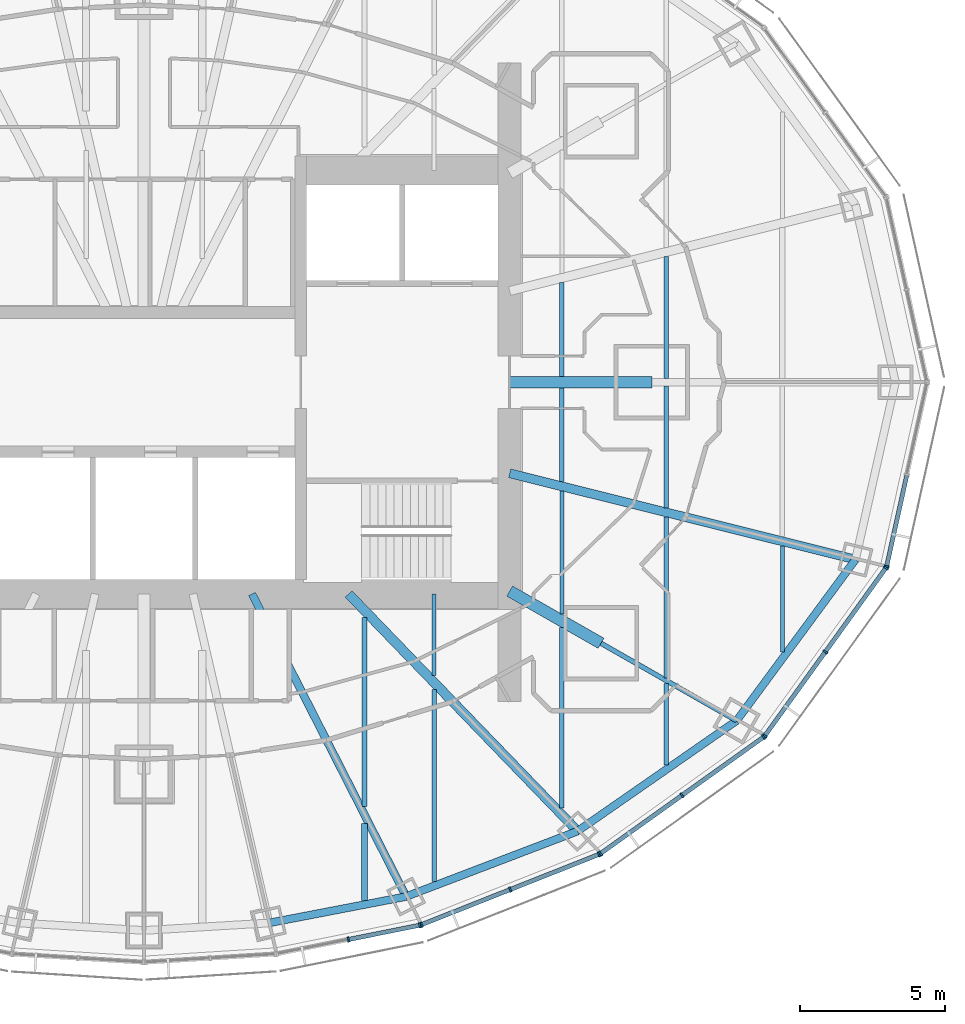
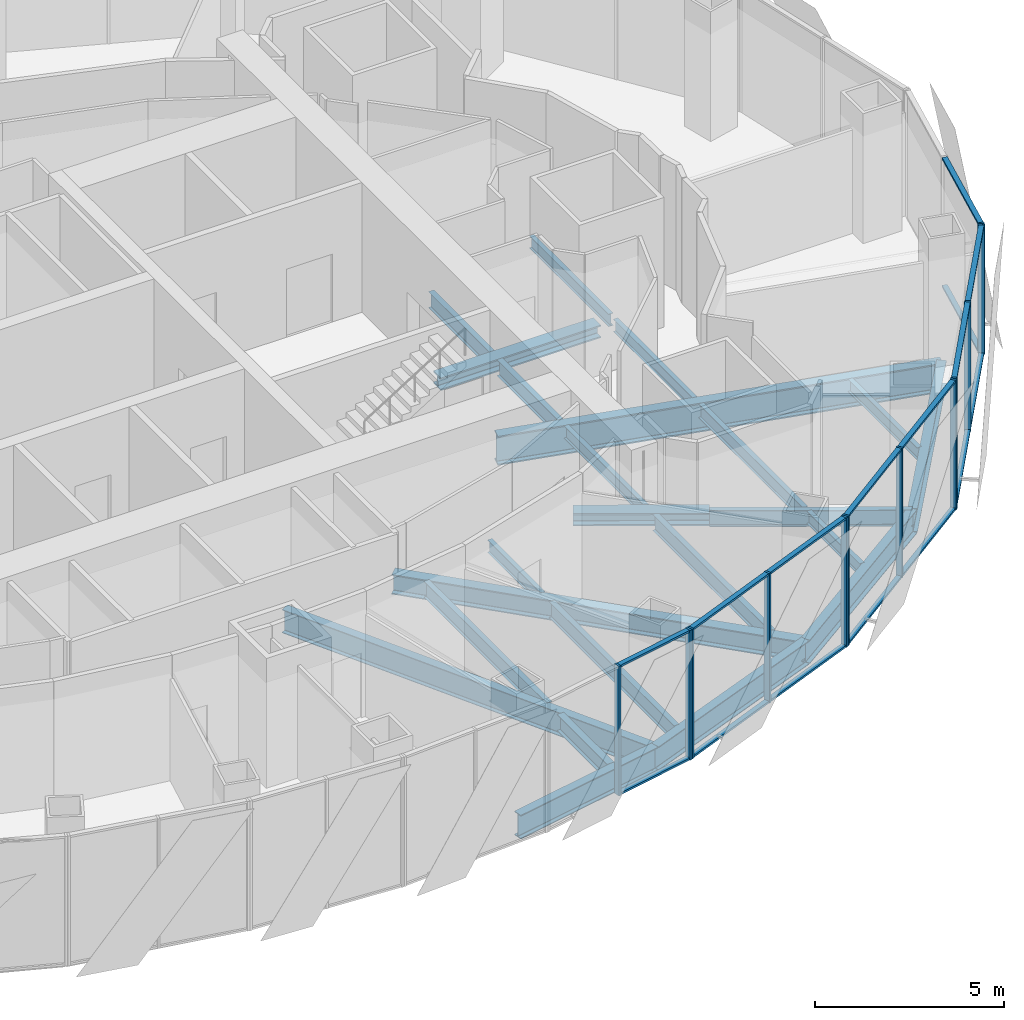
# One storey, part 6 of 19: 28 members, 23 beams, 5 elements without a shape of their own.
"""IFC4 building model written with IfcOpenShell, lengths in metres."""

from ifc_helpers import new_model, si_unit, direction, frame, origin, origin_2d, place, context, subcontext, project, spatial, rectangle, i_section, extrude, material, material_profile, profile_set, type_object, element, aggregate, save


model = new_model("IFC4")

# Units and contexts
model_context = context("Model", 3, precision=1e-05, world=origin(), true_north=direction((0.0, 1.0)))
body_context = subcontext(model_context, "Body", "Model", "MODEL_VIEW")
ifc_project = project(units=[si_unit("LENGTHUNIT", "METRE"), si_unit("AREAUNIT", "SQUARE_METRE"), si_unit("VOLUMEUNIT", "CUBIC_METRE"), si_unit("PLANEANGLEUNIT", "RADIAN"), si_unit("MASSUNIT", "GRAM", prefix="KILO")], contexts=[model_context])

# Site, building, storey
site_placement = place(None, origin())
site = spatial("IfcSite", under=ifc_project, at=site_placement, CompositionType="ELEMENT")
building_placement = place(site_placement, origin())
building = spatial("IfcBuilding", under=site, at=building_placement, Name="Lantaw Convention Tower", CompositionType="ELEMENT")
storey_placement = place(building_placement, frame((0.0, 0.0, 253.60009765625)))
storey = spatial("IfcBuildingStorey", under=building, at=storey_placement, Name="L59", CompositionType="ELEMENT", Elevation=253.60009765625)

# Beams
ifc_material_1 = material(Name="Steel ASTM A992", Category="steel")
ifc_material_profile_1 = material_profile(ifc_material_1, i_section(OverallWidth=0.2666015625, OverallDepth=0.76953125, WebThickness=0.015625, FlangeThickness=0.025390625, FilletRadius=0.0126953125, at=origin_2d()), Name="W30X132")
ifc_profile_set_1 = profile_set([ifc_material_profile_1], Name="Steel ASTM A992")
beam_type_1 = type_object("IfcBeamType", Name="Beam E W30X132", PredefinedType="SPANDREL", material=ifc_profile_set_1)
beam_1_placement = place(storey_placement, frame((4.303955078125, -18.64208984375, -0.534912109375), z_axis=(0.981972091702, 0.189025953556, 0.0), x_axis=(-0.189025953556, 0.981972091702, 0.0)))
element("IfcBeam", 1, at=beam_1_placement, inside=storey, type_object=beam_type_1, Name="Edge beam 20", PredefinedType="SPANDREL", context=body_context, shape_type="SweptSolid", body=[
    extrude(i_section(OverallWidth=0.2666015625, OverallDepth=0.76953125, WebThickness=0.015625, FlangeThickness=0.025390625, FilletRadius=0.0126953125, at=origin_2d()), origin(), (0.0, 0.0, 1.0), 4.817626953125),
])
beam_2_placement = place(storey_placement, frame((9.03466796875, -17.7314453125, -0.534912109375), z_axis=(0.934234988, 0.356658081637, 0.0), x_axis=(-0.356658081637, 0.934234988, 0.0)))
element("IfcBeam", 2, at=beam_2_placement, inside=storey, type_object=beam_type_1, Name="Edge beam 21", PredefinedType="SPANDREL", context=body_context, shape_type="SweptSolid", body=[
    extrude(i_section(OverallWidth=0.2666015625, OverallDepth=0.76953125, WebThickness=0.015625, FlangeThickness=0.025390625, FilletRadius=0.0126953125, at=origin_2d()), origin(), (0.0, 0.0, 1.0), 6.32568359375),
])
beam_3_placement = place(storey_placement, frame((14.9443359375, -15.475341796875, -0.534912109375), z_axis=(0.82135329406, 0.570419815869, 0.0), x_axis=(-0.570419815869, 0.82135329406, 0.0)))
element("IfcBeam", 3, at=beam_3_placement, inside=storey, type_object=beam_type_1, Name="Edge beam 22", PredefinedType="SPANDREL", context=body_context, shape_type="SweptSolid", body=[
    extrude(i_section(OverallWidth=0.2666015625, OverallDepth=0.76953125, WebThickness=0.015625, FlangeThickness=0.025390625, FilletRadius=0.0126953125, at=origin_2d()), origin(), (0.0, 0.0, 1.0), 6.67041015625),
])
beam_4_placement = place(storey_placement, frame((20.423095703125, -11.67041015625, -0.534912109375), z_axis=(0.593639188853, 0.804731329984, 0.0), x_axis=(-0.804731329984, 0.593639188853, 0.0)))
element("IfcBeam", 4, at=beam_4_placement, inside=storey, type_object=beam_type_1, Name="Edge beam 23", PredefinedType="SPANDREL", context=body_context, shape_type="SweptSolid", body=[
    extrude(i_section(OverallWidth=0.2666015625, OverallDepth=0.76953125, WebThickness=0.015625, FlangeThickness=0.025390625, FilletRadius=0.0126953125, at=origin_2d()), origin(), (0.0, 0.0, 1.0), 6.904541015625),
])
ifc_material_profile_2 = material_profile(ifc_material_1, i_section(OverallWidth=0.165771484375, OverallDepth=0.5283203125, WebThickness=0.009765625, FlangeThickness=0.013671875, FilletRadius=0.012939453125, at=origin_2d()), Name="W21X50")
ifc_profile_set_2 = profile_set([ifc_material_profile_2], Name="Steel ASTM A992")
beam_type_2 = type_object("IfcBeamType", Name="Beam G W21X50", PredefinedType="BEAM", material=ifc_profile_set_2)
beam_5_placement = place(storey_placement, frame((15.75, -9.0, -0.414306640625), z_axis=(0.868237559289, -0.496148708192, 0.0), x_axis=(0.496148708192, 0.868237559289, 0.0)))
element("IfcBeam", 5, at=beam_5_placement, inside=storey, type_object=beam_type_2, Name="Floor girder on ray 23", PredefinedType="BEAM", context=body_context, shape_type="SweptSolid", body=[
    extrude(i_section(OverallWidth=0.165771484375, OverallDepth=0.5283203125, WebThickness=0.009765625, FlangeThickness=0.013671875, FilletRadius=0.012939453125, at=origin_2d()), origin(), (0.0, 0.0, 1.0), 5.38232421875),
])
ifc_material_profile_3 = material_profile(ifc_material_1, i_section(OverallWidth=0.32763671875, OverallDepth=0.64013671875, WebThickness=0.01904296875, FlangeThickness=0.033935546875, FilletRadius=0.0126953125, at=origin_2d()), Name="W24X176")
ifc_profile_set_3 = profile_set([ifc_material_profile_3], Name="Steel ASTM A992")
beam_type_3 = type_object("IfcBeamType", Name="Beam G W24X176", PredefinedType="BEAM", material=ifc_profile_set_3)
beam_6_placement = place(storey_placement, frame((7.049560546875, -7.300048828125, -0.47021484375), z_axis=(0.694657766726, -0.719340383356, 0.0), x_axis=(0.719340383356, 0.694657766726, 0.0)))
element("IfcBeam", 6, at=beam_6_placement, inside=storey, type_object=beam_type_3, Name="Floor girder on ray 22", PredefinedType="BEAM", context=body_context, shape_type="SweptSolid", body=[
    extrude(i_section(OverallWidth=0.32763671875, OverallDepth=0.64013671875, WebThickness=0.01904296875, FlangeThickness=0.033935546875, FilletRadius=0.0126953125, at=origin_2d()), origin(), (0.0, 0.0, 1.0), 11.364990234375),
])
ifc_material_profile_4 = material_profile(ifc_material_1, i_section(OverallWidth=0.2666015625, OverallDepth=0.7568359375, WebThickness=0.013916015625, FlangeThickness=0.019287109375, FilletRadius=0.0126953125, at=origin_2d()), Name="W30X108")
ifc_profile_set_4 = profile_set([ifc_material_profile_4], Name="Steel ASTM A992")
beam_type_4 = type_object("IfcBeamType", Name="Beam G W30X108", PredefinedType="BEAM", material=ifc_profile_set_4)
beam_7_placement = place(storey_placement, frame((3.719482421875, -7.300048828125, -0.528564453125), z_axis=(0.4539988787, -0.891002254845, 0.0), x_axis=(0.891002254845, 0.4539988787, 0.0)))
element("IfcBeam", 7, at=beam_7_placement, inside=storey, type_object=beam_type_4, Name="Floor girder on ray 21", PredefinedType="BEAM", context=body_context, shape_type="SweptSolid", body=[
    extrude(i_section(OverallWidth=0.2666015625, OverallDepth=0.7568359375, WebThickness=0.013916015625, FlangeThickness=0.019287109375, FilletRadius=0.0126953125, at=origin_2d()), origin(), (0.0, 0.0, 1.0), 11.70751953125),
])
ifc_material_profile_5 = material_profile(ifc_material_1, i_section(OverallWidth=0.307373046875, OverallDepth=0.9423828125, WebThickness=0.022216796875, FlangeThickness=0.039794921875, FilletRadius=0.0126953125, at=origin_2d()), Name="W36X232")
ifc_profile_set_5 = profile_set([ifc_material_profile_5], Name="Steel ASTM A992")
beam_type_5 = type_object("IfcBeamType", Name="Beam G W36X232", PredefinedType="BEAM", material=ifc_profile_set_5)
beam_8_placement = place(storey_placement, frame((12.60009765625, -3.1416015625, -0.621337890625), z_axis=(0.970296589314, -0.241918434119, 0.0), x_axis=(0.241918434119, 0.970296589314, 0.0)))
element("IfcBeam", 8, at=beam_8_placement, inside=storey, type_object=beam_type_5, Name="Floor girder on ray 24", PredefinedType="BEAM", context=body_context, shape_type="SweptSolid", body=[
    extrude(i_section(OverallWidth=0.307373046875, OverallDepth=0.9423828125, WebThickness=0.022216796875, FlangeThickness=0.039794921875, FilletRadius=0.0126953125, at=origin_2d()), origin(), (0.0, 0.0, 1.0), 12.286865234375),
])
ifc_material_profile_6 = material_profile(ifc_material_1, i_section(OverallWidth=0.40380859375, OverallDepth=0.406494140625, WebThickness=0.027099609375, FlangeThickness=0.043701171875, FilletRadius=0.01513671875, at=origin_2d()), Name="W14X233")
ifc_profile_set_6 = profile_set([ifc_material_profile_6], Name="Steel ASTM A992")
beam_type_6 = type_object("IfcBeamType", Name="Beam GM W14X233", PredefinedType="BEAM", material=ifc_profile_set_6)
beam_9_placement = place(storey_placement, frame((12.60009765625, 0.0, -0.353271484375), z_axis=(1.0, 0.0, 0.0), x_axis=(0.0, 1.0, 0.0)))
element("IfcBeam", 9, at=beam_9_placement, inside=storey, type_object=beam_type_6, Name="Core link beam on ray 1", PredefinedType="BEAM", context=body_context, shape_type="SweptSolid", body=[
    extrude(i_section(OverallWidth=0.40380859375, OverallDepth=0.406494140625, WebThickness=0.027099609375, FlangeThickness=0.043701171875, FilletRadius=0.01513671875, at=origin_2d()), origin(), (0.0, 0.0, 1.0), 4.89990234375),
])
beam_10_placement = place(storey_placement, frame((12.60009765625, -7.199951171875, -0.353271484375), z_axis=(0.868230718294, -0.496160679428, 0.0), x_axis=(0.496160679428, 0.868230718294, 0.0)))
element("IfcBeam", 10, at=beam_10_placement, inside=storey, type_object=beam_type_6, Name="Core link beam on ray 23", PredefinedType="BEAM", context=body_context, shape_type="SweptSolid", body=[
    extrude(i_section(OverallWidth=0.40380859375, OverallDepth=0.406494140625, WebThickness=0.027099609375, FlangeThickness=0.043701171875, FilletRadius=0.01513671875, at=origin_2d()), origin(), (0.0, 0.0, 1.0), 3.6279296875),
])
ifc_material_profile_7 = material_profile(ifc_material_1, i_section(OverallWidth=0.140380859375, OverallDepth=0.40380859375, WebThickness=0.007080078125, FlangeThickness=0.01123046875, FilletRadius=0.01025390625, at=origin_2d()), Name="W16X31")
ifc_profile_set_7 = profile_set([ifc_material_profile_7], Name="Steel ASTM A992")
beam_type_7 = type_object("IfcBeamType", Name="Beam J W16X31", PredefinedType="JOIST", material=ifc_profile_set_7)
beam_11_placement = place(storey_placement, frame((10.0, -10.119384765625, -0.35205078125), z_axis=(0.0, 1.0, 0.0), x_axis=(-1.0, 0.0, 0.0)))
element("IfcBeam", 11, at=beam_11_placement, inside=storey, type_object=beam_type_7, Name="Floor joist", PredefinedType="JOIST", context=body_context, shape_type="SweptSolid", body=[
    extrude(i_section(OverallWidth=0.140380859375, OverallDepth=0.40380859375, WebThickness=0.007080078125, FlangeThickness=0.01123046875, FilletRadius=0.01025390625, at=origin_2d()), origin(), (0.0, 0.0, 1.0), 2.8193359375),
])
beam_12_placement = place(storey_placement, frame((14.39990234375, -7.99609375, -0.35205078125), z_axis=(0.0, 1.0, 0.0), x_axis=(-1.0, 0.0, 0.0)))
element("IfcBeam", 12, at=beam_12_placement, inside=storey, type_object=beam_type_7, Name="Floor joist", PredefinedType="JOIST", context=body_context, shape_type="SweptSolid", body=[
    extrude(i_section(OverallWidth=0.140380859375, OverallDepth=0.40380859375, WebThickness=0.007080078125, FlangeThickness=0.01123046875, FilletRadius=0.01025390625, at=origin_2d()), origin(), (0.0, 0.0, 1.0), 4.247314453125),
])
beam_13_placement = place(storey_placement, frame((18.0, -13.19091796875, -0.35205078125), z_axis=(0.0, 1.0, 0.0), x_axis=(-1.0, 0.0, 0.0)))
element("IfcBeam", 13, at=beam_13_placement, inside=storey, type_object=beam_type_7, Name="Floor joist", PredefinedType="JOIST", context=body_context, shape_type="SweptSolid", body=[
    extrude(i_section(OverallWidth=0.140380859375, OverallDepth=0.40380859375, WebThickness=0.007080078125, FlangeThickness=0.01123046875, FilletRadius=0.01025390625, at=origin_2d()), origin(), (0.0, 0.0, 1.0), 2.8095703125),
])
for number, where, z_axis, x_axis, name in (
    (14, (18.0, -4.32958984375, -0.35205078125), (0.0, 1.0, 0.0), (-1.0, 0.0, 0.0), "Floor joist"),
    (15, (18.0, 0.126953125, -0.35205078125), (0.0, 1.0, 0.0), (-1.0, 0.0, 0.0), "Floor joist"),
):
    element("IfcBeam", number, at=place(storey_placement, frame(where, z_axis=z_axis, x_axis=x_axis)), inside=storey, type_object=beam_type_7, Name=name, PredefinedType="JOIST", context=body_context, shape_type="SweptSolid", body=[
        extrude(i_section(OverallWidth=0.140380859375, OverallDepth=0.40380859375, WebThickness=0.007080078125, FlangeThickness=0.01123046875, FilletRadius=0.01025390625, at=origin_2d()), origin(), (0.0, 0.0, 1.0), 4.20263671875),
    ])
beam_14_placement = place(storey_placement, frame((22.0, -9.30810546875, -0.35205078125), z_axis=(0.0, 1.0, 0.0), x_axis=(-1.0, 0.0, 0.0)))
element("IfcBeam", 16, at=beam_14_placement, inside=storey, type_object=beam_type_7, Name="Floor joist", PredefinedType="JOIST", context=body_context, shape_type="SweptSolid", body=[
    extrude(i_section(OverallWidth=0.140380859375, OverallDepth=0.40380859375, WebThickness=0.007080078125, FlangeThickness=0.01123046875, FilletRadius=0.01025390625, at=origin_2d()), origin(), (0.0, 0.0, 1.0), 3.66455078125),
])
ifc_material_profile_8 = material_profile(ifc_material_1, i_section(OverallWidth=0.15234375, OverallDepth=0.449462890625, WebThickness=0.007568359375, FlangeThickness=0.0107421875, FilletRadius=0.01025390625, at=origin_2d()), Name="W18X35")
ifc_profile_set_8 = profile_set([ifc_material_profile_8], Name="Steel ASTM A992")
beam_type_8 = type_object("IfcBeamType", Name="Beam J W18X35", PredefinedType="JOIST", material=ifc_profile_set_8)
beam_15_placement = place(storey_placement, frame((18.0, -10.190185546875, -0.375), z_axis=(0.0, 1.0, 0.0), x_axis=(-1.0, 0.0, 0.0)))
element("IfcBeam", 17, at=beam_15_placement, inside=storey, type_object=beam_type_8, Name="Floor joist", PredefinedType="JOIST", context=body_context, shape_type="SweptSolid", body=[
    extrude(i_section(OverallWidth=0.15234375, OverallDepth=0.449462890625, WebThickness=0.007568359375, FlangeThickness=0.0107421875, FilletRadius=0.01025390625, at=origin_2d()), origin(), (0.0, 0.0, 1.0), 5.5439453125),
])
ifc_material_profile_9 = material_profile(ifc_material_1, i_section(OverallWidth=0.1650390625, OverallDepth=0.52587890625, WebThickness=0.0087890625, FlangeThickness=0.011474609375, FilletRadius=0.0126953125, at=origin_2d()), Name="W21X44")
ifc_profile_set_9 = profile_set([ifc_material_profile_9], Name="Steel ASTM A992")
beam_type_9 = type_object("IfcBeamType", Name="Beam J W21X44", PredefinedType="JOIST", material=ifc_profile_set_9)
beam_16_placement = place(storey_placement, frame((7.60009765625, -14.6220703125, -0.4130859375), z_axis=(0.0, 1.0, 0.0), x_axis=(-1.0, 0.0, 0.0)))
element("IfcBeam", 18, at=beam_16_placement, inside=storey, type_object=beam_type_9, Name="Floor joist", PredefinedType="JOIST", context=body_context, shape_type="SweptSolid", body=[
    extrude(i_section(OverallWidth=0.1650390625, OverallDepth=0.52587890625, WebThickness=0.0087890625, FlangeThickness=0.011474609375, FilletRadius=0.0126953125, at=origin_2d()), origin(), (0.0, 0.0, 1.0), 6.51611328125),
])
beam_17_placement = place(storey_placement, frame((10.0, -17.22021484375, -0.4130859375), z_axis=(0.0, 1.0, 0.0), x_axis=(-1.0, 0.0, 0.0)))
element("IfcBeam", 19, at=beam_17_placement, inside=storey, type_object=beam_type_9, Name="Floor joist", PredefinedType="JOIST", context=body_context, shape_type="SweptSolid", body=[
    extrude(i_section(OverallWidth=0.1650390625, OverallDepth=0.52587890625, WebThickness=0.0087890625, FlangeThickness=0.011474609375, FilletRadius=0.0126953125, at=origin_2d()), origin(), (0.0, 0.0, 1.0), 6.629150390625),
])
beam_18_placement = place(storey_placement, frame((14.39990234375, -14.67578125, -0.4130859375), z_axis=(0.0, 1.0, 0.0), x_axis=(-1.0, 0.0, 0.0)))
element("IfcBeam", 20, at=beam_18_placement, inside=storey, type_object=beam_type_9, Name="Floor joist", PredefinedType="JOIST", context=body_context, shape_type="SweptSolid", body=[
    extrude(i_section(OverallWidth=0.1650390625, OverallDepth=0.52587890625, WebThickness=0.0087890625, FlangeThickness=0.011474609375, FilletRadius=0.0126953125, at=origin_2d()), origin(), (0.0, 0.0, 1.0), 6.214599609375),
])
for number, where, z_axis, x_axis, name in (
    (21, (14.39990234375, -3.431884765625, -0.4130859375), (0.0, 1.0, 0.0), (-1.0, 0.0, 0.0), "Floor joist"),
    (22, (14.39990234375, 0.201904296875, -0.4130859375), (0.0, 1.0, 0.0), (-1.0, 0.0, 0.0), "Floor joist"),
):
    element("IfcBeam", number, at=place(storey_placement, frame(where, z_axis=z_axis, x_axis=x_axis)), inside=storey, type_object=beam_type_9, Name=name, PredefinedType="JOIST", context=body_context, shape_type="SweptSolid", body=[
        extrude(i_section(OverallWidth=0.1650390625, OverallDepth=0.52587890625, WebThickness=0.0087890625, FlangeThickness=0.011474609375, FilletRadius=0.0126953125, at=origin_2d()), origin(), (0.0, 0.0, 1.0), 3.22998046875),
    ])
ifc_material_profile_10 = material_profile(ifc_material_1, i_section(OverallWidth=0.2099609375, OverallDepth=0.535888671875, WebThickness=0.010986328125, FlangeThickness=0.017333984375, FilletRadius=0.012939453125, at=origin_2d()), Name="W21X68")
ifc_profile_set_10 = profile_set([ifc_material_profile_10], Name="Steel ASTM A992")
beam_type_10 = type_object("IfcBeamType", Name="Beam J W21X68", PredefinedType="JOIST", material=ifc_profile_set_10)
beam_19_placement = place(storey_placement, frame((7.60009765625, -17.871826171875, -0.41796875), z_axis=(0.0, 1.0, 0.0), x_axis=(-1.0, 0.0, 0.0)))
element("IfcBeam", 23, at=beam_19_placement, inside=storey, type_object=beam_type_10, Name="Floor joist", PredefinedType="JOIST", context=body_context, shape_type="SweptSolid", body=[
    extrude(i_section(OverallWidth=0.2099609375, OverallDepth=0.535888671875, WebThickness=0.010986328125, FlangeThickness=0.017333984375, FilletRadius=0.012939453125, at=origin_2d()), origin(), (0.0, 0.0, 1.0), 2.662353515625),
])

# Curtain wall, members
ifc_material_2 = material(Name="Aluminium framed curtain wall", Category="aluminium")
curtain_wall_type = type_object("IfcCurtainWallType", Name="Office curtain wall high rise, pale aluminium", PredefinedType="USERDEFINED", material=ifc_material_2)
curtain_wall_1_placement = place(storey_placement, origin())
curtain_wall_1 = element("IfcCurtainWall", 24, at=curtain_wall_1_placement, inside=storey, type_object=curtain_wall_type, Name="Office curtain wall high rise, pale aluminium L59", ObjectType="UNITISED CURTAIN WALL", PredefinedType="USERDEFINED")
ifc_material_3 = material(Name="Aluminium 6063-T6", Category="aluminium")
ifc_material_profile_11 = material_profile(ifc_material_3, rectangle(XDim=0.179931640625, YDim=0.06494140625, at=origin_2d()), Name="CW-O2 mullion 65x180")
ifc_profile_set_11 = profile_set([ifc_material_profile_11], Name="Aluminium 6063-T6")
member_type_1 = type_object("IfcMemberType", Name="CW-O2 mullion 65x180", PredefinedType="MULLION", material=ifc_profile_set_11)
member_1_placement = place(storey_placement, frame((7.042724609375, -19.212646484375, -0.150146484375), z_axis=(0.0, 0.0, 1.0), x_axis=(-0.197183095987, 0.980366679695, 0.0)))
member_1 = element("IfcMember", 25, at=member_1_placement, type_object=member_type_1, Name="CW-O2 mullion 2", PredefinedType="MULLION", context=body_context, shape_type="SweptSolid", body=[
    extrude(rectangle(XDim=0.179931640625, YDim=0.06494140625, at=origin_2d()), origin(), (0.0, 0.0, 1.0), 4.199951171875),
])
member_2_placement = place(storey_placement, frame((9.502197265625, -18.718017578125, -0.150146484375), z_axis=(0.0, 0.0, 1.0), x_axis=(-0.197183095987, 0.980366679695, 0.0)))
member_2 = element("IfcMember", 26, at=member_2_placement, type_object=member_type_1, Name="CW-O2 mullion 3", PredefinedType="MULLION", context=body_context, shape_type="SweptSolid", body=[
    extrude(rectangle(XDim=0.179931640625, YDim=0.06494140625, at=origin_2d()), origin(), (0.0, 0.0, 1.0), 4.199951171875),
])

curtain_wall_2_placement = place(storey_placement, origin())
curtain_wall_2 = element("IfcCurtainWall", 27, at=curtain_wall_2_placement, inside=storey, type_object=curtain_wall_type, Name="Office curtain wall high rise, pale aluminium L59", ObjectType="UNITISED CURTAIN WALL", PredefinedType="USERDEFINED")
member_3_placement = place(storey_placement, frame((9.564208984375, -18.69970703125, -0.150146484375), z_axis=(0.0, 0.0, 1.0), x_axis=(-0.368162315252, 0.929761533743, 0.0)))
member_3 = element("IfcMember", 28, at=member_3_placement, type_object=member_type_1, Name="CW-O2 mullion 1", PredefinedType="MULLION", context=body_context, shape_type="SweptSolid", body=[
    extrude(rectangle(XDim=0.179931640625, YDim=0.06494140625, at=origin_2d()), origin(), (0.0, 0.0, 1.0), 4.199951171875),
])
member_4_placement = place(storey_placement, frame((12.621337890625, -17.4892578125, -0.150146484375), z_axis=(0.0, 0.0, 1.0), x_axis=(-0.368162315252, 0.929761533743, 0.0)))
member_4 = element("IfcMember", 29, at=member_4_placement, type_object=member_type_1, Name="CW-O2 mullion 2", PredefinedType="MULLION", context=body_context, shape_type="SweptSolid", body=[
    extrude(rectangle(XDim=0.179931640625, YDim=0.06494140625, at=origin_2d()), origin(), (0.0, 0.0, 1.0), 4.199951171875),
])
member_5_placement = place(storey_placement, frame((15.67822265625, -16.278564453125, -0.150146484375), z_axis=(0.0, 0.0, 1.0), x_axis=(-0.368162315252, 0.929761533743, 0.0)))
member_5 = element("IfcMember", 30, at=member_5_placement, type_object=member_type_1, Name="CW-O2 mullion 3", PredefinedType="MULLION", context=body_context, shape_type="SweptSolid", body=[
    extrude(rectangle(XDim=0.179931640625, YDim=0.06494140625, at=origin_2d()), origin(), (0.0, 0.0, 1.0), 4.199951171875),
])

curtain_wall_3_placement = place(storey_placement, origin())
curtain_wall_3 = element("IfcCurtainWall", 31, at=curtain_wall_3_placement, inside=storey, type_object=curtain_wall_type, Name="Office curtain wall high rise, pale aluminium L59", ObjectType="UNITISED CURTAIN WALL", PredefinedType="USERDEFINED")
member_6_placement = place(storey_placement, frame((15.73486328125, -16.247802734375, -0.150146484375), z_axis=(0.0, 0.0, 1.0), x_axis=(-0.581323487281, 0.813672540482, 0.0)))
member_6 = element("IfcMember", 32, at=member_6_placement, type_object=member_type_1, Name="CW-O2 mullion 1", PredefinedType="MULLION", context=body_context, shape_type="SweptSolid", body=[
    extrude(rectangle(XDim=0.179931640625, YDim=0.06494140625, at=origin_2d()), origin(), (0.0, 0.0, 1.0), 4.199951171875),
])
member_7_placement = place(storey_placement, frame((18.543212890625, -14.241455078125, -0.150146484375), z_axis=(0.0, 0.0, 1.0), x_axis=(-0.581323487281, 0.813672540482, 0.0)))
member_7 = element("IfcMember", 33, at=member_7_placement, type_object=member_type_1, Name="CW-O2 mullion 2", PredefinedType="MULLION", context=body_context, shape_type="SweptSolid", body=[
    extrude(rectangle(XDim=0.179931640625, YDim=0.06494140625, at=origin_2d()), origin(), (0.0, 0.0, 1.0), 4.199951171875),
])
member_8_placement = place(storey_placement, frame((21.3515625, -12.23486328125, -0.150146484375), z_axis=(0.0, 0.0, 1.0), x_axis=(-0.581323487281, 0.813672540482, 0.0)))
member_8 = element("IfcMember", 34, at=member_8_placement, type_object=member_type_1, Name="CW-O2 mullion 3", PredefinedType="MULLION", context=body_context, shape_type="SweptSolid", body=[
    extrude(rectangle(XDim=0.179931640625, YDim=0.06494140625, at=origin_2d()), origin(), (0.0, 0.0, 1.0), 4.199951171875),
])

curtain_wall_4_placement = place(storey_placement, origin())
curtain_wall_4 = element("IfcCurtainWall", 35, at=curtain_wall_4_placement, inside=storey, type_object=curtain_wall_type, Name="Office curtain wall high rise, pale aluminium L59", ObjectType="UNITISED CURTAIN WALL", PredefinedType="USERDEFINED")
member_9_placement = place(storey_placement, frame((21.397216796875, -12.189697265625, -0.150146484375), z_axis=(0.0, 0.0, 1.0), x_axis=(-0.810919559405, 0.585157643865, 0.0)))
member_9 = element("IfcMember", 36, at=member_9_placement, type_object=member_type_1, Name="CW-O2 mullion 1", PredefinedType="MULLION", context=body_context, shape_type="SweptSolid", body=[
    extrude(rectangle(XDim=0.179931640625, YDim=0.06494140625, at=origin_2d()), origin(), (0.0, 0.0, 1.0), 4.199951171875),
])
member_10_placement = place(storey_placement, frame((23.483642578125, -9.298095703125, -0.150146484375), z_axis=(0.0, 0.0, 1.0), x_axis=(-0.810919559405, 0.585157643865, 0.0)))
member_10 = element("IfcMember", 37, at=member_10_placement, type_object=member_type_1, Name="CW-O2 mullion 2", PredefinedType="MULLION", context=body_context, shape_type="SweptSolid", body=[
    extrude(rectangle(XDim=0.179931640625, YDim=0.06494140625, at=origin_2d()), origin(), (0.0, 0.0, 1.0), 4.199951171875),
])
member_11_placement = place(storey_placement, frame((25.5703125, -6.406494140625, -0.150146484375), z_axis=(0.0, 0.0, 1.0), x_axis=(-0.810919559405, 0.585157643865, 0.0)))
member_11 = element("IfcMember", 38, at=member_11_placement, type_object=member_type_1, Name="CW-O2 mullion 3", PredefinedType="MULLION", context=body_context, shape_type="SweptSolid", body=[
    extrude(rectangle(XDim=0.179931640625, YDim=0.06494140625, at=origin_2d()), origin(), (0.0, 0.0, 1.0), 4.199951171875),
])

# Curtain wall, member
curtain_wall_5_placement = place(storey_placement, origin())
curtain_wall_5 = element("IfcCurtainWall", 39, at=curtain_wall_5_placement, inside=storey, type_object=curtain_wall_type, Name="Office curtain wall high rise, pale aluminium L59", ObjectType="UNITISED CURTAIN WALL", PredefinedType="USERDEFINED")
member_12_placement = place(storey_placement, frame((25.596435546875, -6.348388671875, -0.150146484375), z_axis=(0.0, 0.0, 1.0), x_axis=(-0.976417396437, 0.215891333626, 0.0)))
member_12 = element("IfcMember", 40, at=member_12_placement, type_object=member_type_1, Name="CW-O2 mullion 1", PredefinedType="MULLION", context=body_context, shape_type="SweptSolid", body=[
    extrude(rectangle(XDim=0.179931640625, YDim=0.06494140625, at=origin_2d()), origin(), (0.0, 0.0, 1.0), 4.199951171875),
])

# Member
ifc_material_profile_12 = material_profile(ifc_material_3, rectangle(XDim=0.14990234375, YDim=0.06494140625, at=origin_2d()), Name="CW-O2 transom 65x150")
ifc_profile_set_12 = profile_set([ifc_material_profile_12], Name="Aluminium 6063-T6")
member_type_2 = type_object("IfcMemberType", Name="CW-O2 transom 65x150", PredefinedType="USERDEFINED", material=ifc_profile_set_12)
member_13_placement = place(storey_placement, frame((7.074462890625, -19.206298828125, -0.11767578125), z_axis=(0.98036104319, 0.197211117829, 0.0), x_axis=(-0.197211117829, 0.98036104319, 0.0)))
member_13 = element("IfcMember", 41, at=member_13_placement, type_object=member_type_2, Name="CW-O2 transom 2.1", ObjectType="TRANSOM", PredefinedType="USERDEFINED", context=body_context, shape_type="SweptSolid", body=[
    extrude(rectangle(XDim=0.14990234375, YDim=0.06494140625, at=origin_2d()), origin(), (0.0, 0.0, 1.0), 2.44384765625),
])

member_14_placement = place(storey_placement, frame((7.074462890625, -19.206298828125, 4.017333984375), z_axis=(0.98036104319, 0.197211117829, 0.0), x_axis=(-0.197211117829, 0.98036104319, 0.0)))
member_14 = element("IfcMember", 42, at=member_14_placement, type_object=member_type_2, Name="CW-O2 transom 2.2", ObjectType="TRANSOM", PredefinedType="USERDEFINED", context=body_context, shape_type="SweptSolid", body=[
    extrude(rectangle(XDim=0.14990234375, YDim=0.06494140625, at=origin_2d()), origin(), (0.0, 0.0, 1.0), 2.44384765625),
])

aggregate(curtain_wall_1, [member_1, member_2, member_13, member_14])

member_15_placement = place(storey_placement, frame((9.594482421875, -18.687744140625, -0.11767578125), z_axis=(0.929766642946, 0.368149412149, 0.0), x_axis=(-0.368149412149, 0.929766642946, 0.0)))
member_15 = element("IfcMember", 43, at=member_15_placement, type_object=member_type_2, Name="CW-O2 transom 1.1", ObjectType="TRANSOM", PredefinedType="USERDEFINED", context=body_context, shape_type="SweptSolid", body=[
    extrude(rectangle(XDim=0.14990234375, YDim=0.06494140625, at=origin_2d()), origin(), (0.0, 0.0, 1.0), 3.222900390625),
])

member_16_placement = place(storey_placement, frame((9.594482421875, -18.687744140625, 4.017333984375), z_axis=(0.929766642946, 0.368149412149, 0.0), x_axis=(-0.368149412149, 0.929766642946, 0.0)))
member_16 = element("IfcMember", 44, at=member_16_placement, type_object=member_type_2, Name="CW-O2 transom 1.2", ObjectType="TRANSOM", PredefinedType="USERDEFINED", context=body_context, shape_type="SweptSolid", body=[
    extrude(rectangle(XDim=0.14990234375, YDim=0.06494140625, at=origin_2d()), origin(), (0.0, 0.0, 1.0), 3.222900390625),
])

member_17_placement = place(storey_placement, frame((12.651611328125, -17.477294921875, -0.11767578125), z_axis=(0.929740712354, 0.368214893495, 0.0), x_axis=(-0.368214893495, 0.929740712354, 0.0)))
member_17 = element("IfcMember", 45, at=member_17_placement, type_object=member_type_2, Name="CW-O2 transom 2.1", ObjectType="TRANSOM", PredefinedType="USERDEFINED", context=body_context, shape_type="SweptSolid", body=[
    extrude(rectangle(XDim=0.14990234375, YDim=0.06494140625, at=origin_2d()), origin(), (0.0, 0.0, 1.0), 3.22314453125),
])

member_18_placement = place(storey_placement, frame((12.651611328125, -17.477294921875, 4.017333984375), z_axis=(0.929740712354, 0.368214893495, 0.0), x_axis=(-0.368214893495, 0.929740712354, 0.0)))
member_18 = element("IfcMember", 46, at=member_18_placement, type_object=member_type_2, Name="CW-O2 transom 2.2", ObjectType="TRANSOM", PredefinedType="USERDEFINED", context=body_context, shape_type="SweptSolid", body=[
    extrude(rectangle(XDim=0.14990234375, YDim=0.06494140625, at=origin_2d()), origin(), (0.0, 0.0, 1.0), 3.22314453125),
])

aggregate(curtain_wall_2, [member_3, member_4, member_5, member_15, member_16, member_17, member_18])

member_19_placement = place(storey_placement, frame((15.761474609375, -16.22900390625, -0.11767578125), z_axis=(0.813645780821, 0.581360940683, 0.0), x_axis=(-0.581360940683, 0.813645780821, 0.0)))
member_19 = element("IfcMember", 47, at=member_19_placement, type_object=member_type_2, Name="CW-O2 transom 1.1", ObjectType="TRANSOM", PredefinedType="USERDEFINED", context=body_context, shape_type="SweptSolid", body=[
    extrude(rectangle(XDim=0.14990234375, YDim=0.06494140625, at=origin_2d()), origin(), (0.0, 0.0, 1.0), 3.386474609375),
])

member_20_placement = place(storey_placement, frame((15.761474609375, -16.22900390625, 4.017333984375), z_axis=(0.813645780821, 0.581360940683, 0.0), x_axis=(-0.581360940683, 0.813645780821, 0.0)))
member_20 = element("IfcMember", 48, at=member_20_placement, type_object=member_type_2, Name="CW-O2 transom 1.2", ObjectType="TRANSOM", PredefinedType="USERDEFINED", context=body_context, shape_type="SweptSolid", body=[
    extrude(rectangle(XDim=0.14990234375, YDim=0.06494140625, at=origin_2d()), origin(), (0.0, 0.0, 1.0), 3.386474609375),
])

member_21_placement = place(storey_placement, frame((18.56982421875, -14.222412109375, -0.11767578125), z_axis=(0.813679882592, 0.581313210468, 0.0), x_axis=(-0.581313210468, 0.813679882592, 0.0)))
member_21 = element("IfcMember", 49, at=member_21_placement, type_object=member_type_2, Name="CW-O2 transom 2.1", ObjectType="TRANSOM", PredefinedType="USERDEFINED", context=body_context, shape_type="SweptSolid", body=[
    extrude(rectangle(XDim=0.14990234375, YDim=0.06494140625, at=origin_2d()), origin(), (0.0, 0.0, 1.0), 3.38623046875),
])

member_22_placement = place(storey_placement, frame((18.56982421875, -14.222412109375, 4.017333984375), z_axis=(0.813679882592, 0.581313210468, 0.0), x_axis=(-0.581313210468, 0.813679882592, 0.0)))
member_22 = element("IfcMember", 50, at=member_22_placement, type_object=member_type_2, Name="CW-O2 transom 2.2", ObjectType="TRANSOM", PredefinedType="USERDEFINED", context=body_context, shape_type="SweptSolid", body=[
    extrude(rectangle(XDim=0.14990234375, YDim=0.06494140625, at=origin_2d()), origin(), (0.0, 0.0, 1.0), 3.38623046875),
])

aggregate(curtain_wall_3, [member_6, member_7, member_8, member_19, member_20, member_21, member_22])

member_23_placement = place(storey_placement, frame((21.416259765625, -12.163330078125, -0.11767578125), z_axis=(0.585123825205, 0.810943961798, 0.0), x_axis=(-0.810943961798, 0.585123825205, 0.0)))
member_23 = element("IfcMember", 51, at=member_23_placement, type_object=member_type_2, Name="CW-O2 transom 1.1", ObjectType="TRANSOM", PredefinedType="USERDEFINED", context=body_context, shape_type="SweptSolid", body=[
    extrude(rectangle(XDim=0.14990234375, YDim=0.06494140625, at=origin_2d()), origin(), (0.0, 0.0, 1.0), 3.500732421875),
])

member_24_placement = place(storey_placement, frame((21.416259765625, -12.163330078125, 4.017333984375), z_axis=(0.585123825205, 0.810943961798, 0.0), x_axis=(-0.810943961798, 0.585123825205, 0.0)))
member_24 = element("IfcMember", 52, at=member_24_placement, type_object=member_type_2, Name="CW-O2 transom 1.2", ObjectType="TRANSOM", PredefinedType="USERDEFINED", context=body_context, shape_type="SweptSolid", body=[
    extrude(rectangle(XDim=0.14990234375, YDim=0.06494140625, at=origin_2d()), origin(), (0.0, 0.0, 1.0), 3.500732421875),
])

member_25_placement = place(storey_placement, frame((23.502685546875, -9.271728515625, -0.11767578125), z_axis=(0.585169685931, 0.810910869743, 0.0), x_axis=(-0.810910869743, 0.585169685931, 0.0)))
member_25 = element("IfcMember", 53, at=member_25_placement, type_object=member_type_2, Name="CW-O2 transom 2.1", ObjectType="TRANSOM", PredefinedType="USERDEFINED", context=body_context, shape_type="SweptSolid", body=[
    extrude(rectangle(XDim=0.14990234375, YDim=0.06494140625, at=origin_2d()), origin(), (0.0, 0.0, 1.0), 3.500732421875),
])

member_26_placement = place(storey_placement, frame((23.502685546875, -9.271728515625, 4.017333984375), z_axis=(0.585169685931, 0.810910869743, 0.0), x_axis=(-0.810910869743, 0.585169685931, 0.0)))
member_26 = element("IfcMember", 54, at=member_26_placement, type_object=member_type_2, Name="CW-O2 transom 2.2", ObjectType="TRANSOM", PredefinedType="USERDEFINED", context=body_context, shape_type="SweptSolid", body=[
    extrude(rectangle(XDim=0.14990234375, YDim=0.06494140625, at=origin_2d()), origin(), (0.0, 0.0, 1.0), 3.500732421875),
])

aggregate(curtain_wall_4, [member_9, member_10, member_11, member_23, member_24, member_25, member_26])

member_27_placement = place(storey_placement, frame((25.603271484375, -6.316650390625, -0.11767578125), z_axis=(0.215894607042, 0.976416672661, 0.0), x_axis=(-0.976416672661, 0.215894607042, 0.0)))
member_27 = element("IfcMember", 55, at=member_27_placement, type_object=member_type_2, Name="CW-O2 transom 1.1", ObjectType="TRANSOM", PredefinedType="USERDEFINED", context=body_context, shape_type="SweptSolid", body=[
    extrude(rectangle(XDim=0.14990234375, YDim=0.06494140625, at=origin_2d()), origin(), (0.0, 0.0, 1.0), 3.169677734375),
])

member_28_placement = place(storey_placement, frame((25.603271484375, -6.316650390625, 4.017333984375), z_axis=(0.215894607042, 0.976416672661, 0.0), x_axis=(-0.976416672661, 0.215894607042, 0.0)))
member_28 = element("IfcMember", 56, at=member_28_placement, type_object=member_type_2, Name="CW-O2 transom 1.2", ObjectType="TRANSOM", PredefinedType="USERDEFINED", context=body_context, shape_type="SweptSolid", body=[
    extrude(rectangle(XDim=0.14990234375, YDim=0.06494140625, at=origin_2d()), origin(), (0.0, 0.0, 1.0), 3.169677734375),
])

aggregate(curtain_wall_5, [member_12, member_27, member_28])

save(model, "model.ifc")
